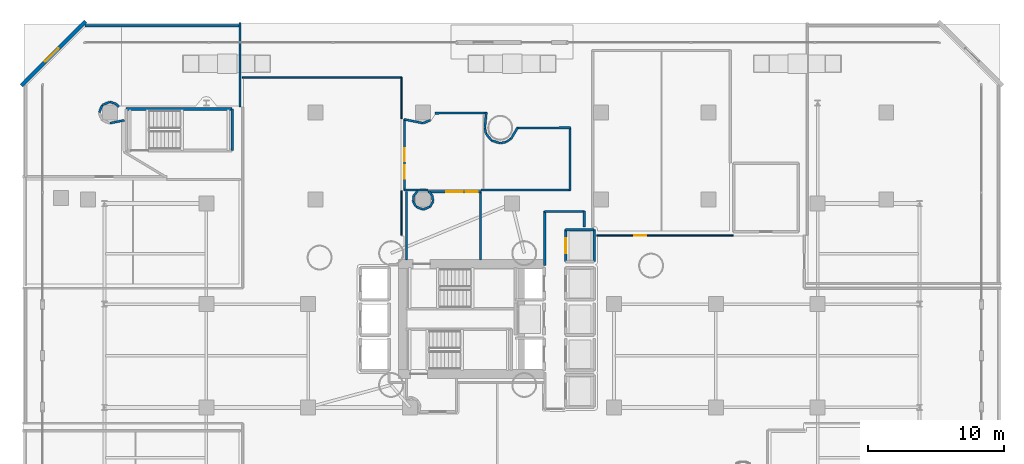
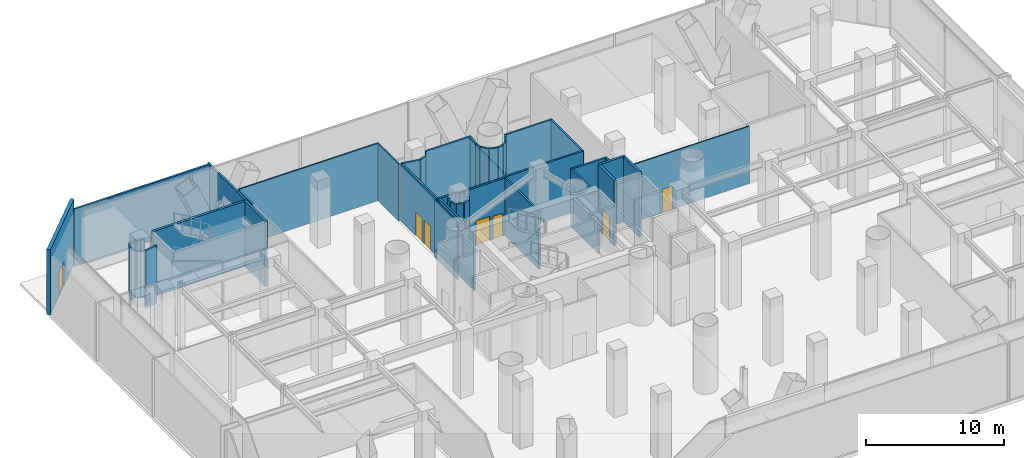
# One storey, part 30 of 40: 46 walls, 7 doors, 7 openings.
"""IFC4 building model written with IfcOpenShell, lengths in metres."""

from ifc_helpers import new_model, si_unit, direction, frame, frame_2d, origin, place, context, subcontext, project, spatial, rectangle, extrude, material, layer, layer_set, type_object, element, fill, save


model = new_model("IFC4")

# Units and contexts
model_context = context("Model", 3, precision=1e-05, world=origin(), true_north=direction((0.0, 1.0)))
body_context = subcontext(model_context, "Body", "Model", "MODEL_VIEW")
ifc_project = project(units=[si_unit("LENGTHUNIT", "METRE"), si_unit("AREAUNIT", "SQUARE_METRE"), si_unit("VOLUMEUNIT", "CUBIC_METRE"), si_unit("PLANEANGLEUNIT", "RADIAN"), si_unit("MASSUNIT", "GRAM", prefix="KILO")], contexts=[model_context])

# Site, building, storey
site_placement = place(None, origin())
site = spatial("IfcSite", under=ifc_project, at=site_placement, CompositionType="ELEMENT")
building_placement = place(site_placement, origin())
building = spatial("IfcBuilding", under=site, at=building_placement, Name="Qianvela Tower", CompositionType="ELEMENT")
storey_placement = place(building_placement, origin())
storey = spatial("IfcBuildingStorey", under=building, at=storey_placement, Name="L00", CompositionType="ELEMENT", Elevation=0.0)

# Wall, opening, door
ifc_material_1 = material(Name="Terracotta Cladding on Concrete C40", Category="masonry")
ifc_layer_1 = layer(ifc_material_1, 0.280029296875)
ifc_layer_set_1 = layer_set([ifc_layer_1], Name="Terracotta Cladding on Concrete C40")
wall_type_1 = type_object("IfcWallType", Name="TERRACOTTA-WALL-280", PredefinedType="SOLIDWALL", material=ifc_layer_set_1)
wall_1_placement = place(storey_placement, frame((1.386962890625, 45.886962890625, 0.0), z_axis=(0.0, 0.0, 1.0), x_axis=(0.707106781187, 0.707106781187, 0.0)))
wall_1 = element("IfcWall", 1, at=wall_1_placement, inside=storey, type_object=wall_type_1, Name="L00 Terracotta Corner Wall 6", PredefinedType="SOLIDWALL", context=body_context, shape_type="SweptSolid", body=[
    extrude(rectangle(XDim=6.68359375, YDim=0.280029296875, at=frame_2d((3.341796875, 0.0))), origin(), (0.0, 0.0, 1.0), 5.780029296875),
])
opening_1_placement = place(wall_1_placement, frame((2.48193359375, 0.0, 0.0)))
opening_1 = element("IfcOpeningElement", 2, at=opening_1_placement, cuts=wall_1, Name="Opening ED-03", PredefinedType="OPENING", context=body_context, shape_type="SweptSolid", body=[
    extrude(rectangle(XDim=1.39990234375, YDim=2.199951171875, at=frame_2d((0.699951171875, 1.10009765625))), frame((0.0, 0.14990234375, 0.0), z_axis=(0.0, -1.0, 0.0), x_axis=(1.0, 0.0, 0.0)), (0.0, 0.0, 1.0), 0.300048828125),
])
ifc_material_2 = material(Name="Galvanised Insulated Steel Q355B", Category="steel")
door_type_1 = type_object("IfcDoorType", Name="DT-EXT-EXIT-1400", OperationType="NOTDEFINED", PredefinedType="DOOR", material=ifc_material_2)
door_1_placement = place(opening_1_placement, origin())
door_1 = element("IfcDoor", 3, at=door_1_placement, inside=storey, type_object=door_type_1, Name="L00 Street Exit Door 6", OperationType="DOUBLE_DOOR_SINGLE_SWING", OverallHeight=2.199951171875, OverallWidth=1.39990234375, PredefinedType="DOOR", context=body_context, shape_type="SweptSolid", body=[
    extrude(rectangle(XDim=1.39990234375, YDim=2.199951171875, at=frame_2d((0.699951171875, 1.10009765625))), frame((0.0, 0.02490234375, 0.0), z_axis=(0.0, -1.0, 0.0), x_axis=(1.0, 0.0, 0.0)), (0.0, 0.0, 1.0), 0.050048828125),
])
fill(opening_1, door_1)

# Walls
ifc_material_3 = material(Name="Fire-Rated Gypsum and Concrete Block", Category="concrete")
ifc_layer_2 = layer(ifc_material_3, 0.159912109375)
ifc_layer_set_2 = layer_set([ifc_layer_2], Name="Fire-Rated Gypsum and Concrete Block")
wall_type_2 = type_object("IfcWallType", Name="WT-CORR-160", PredefinedType="PARTITIONING", material=ifc_layer_set_2)
wall_2_placement = place(storey_placement, frame((29.73095703125, 33.05810546875, 0.0), z_axis=(0.0, 0.0, 1.0), x_axis=(0.0, 1.0, 0.0)))
element("IfcWall", 4, at=wall_2_placement, inside=storey, type_object=wall_type_2, Name="L00 Partition 1", PredefinedType="PARTITIONING", context=body_context, shape_type="SweptSolid", body=[
    extrude(rectangle(XDim=5.0419921875, YDim=0.159912109375, at=frame_2d((2.52099609375, 0.0))), origin(), (0.0, 0.0, 1.0), 5.10009765625),
])
wall_3_placement = place(storey_placement, frame((30.555419921875, 38.1201171875, 0.0), z_axis=(0.0, 0.0, 1.0), x_axis=(-0.648223407971, -0.761450204123, 0.0)))
element("IfcWall", 5, at=wall_3_placement, inside=storey, type_object=wall_type_2, Name="L00 Partition 3", PredefinedType="PARTITIONING", context=body_context, shape_type="SweptSolid", body=[
    extrude(rectangle(XDim=0.43115234375, YDim=0.159912109375, at=frame_2d((0.215576171875, 0.0))), origin(), (0.0, 0.0, 1.0), 5.10009765625),
])
for number, where, z_axis, x_axis, name in (
    (6, (30.2685546875, 37.774658203125, 0.0), (0.0, 0.0, 1.0), (-0.097743995568, -0.995211591236, 0.0), "L00 Partition 4"),
    (7, (30.231689453125, 37.346923828125, 0.0), (0.0, 0.0, 1.0), (0.47144875314, -0.881893459077, 0.0), "L00 Partition 5"),
):
    element("IfcWall", number, at=place(storey_placement, frame(where, z_axis=z_axis, x_axis=x_axis)), inside=storey, type_object=wall_type_2, Name=name, PredefinedType="PARTITIONING", context=body_context, shape_type="SweptSolid", body=[
        extrude(rectangle(XDim=0.412109375, YDim=0.159912109375, at=frame_2d((0.2060546875, 0.0))), origin(), (0.0, 0.0, 1.0), 5.10009765625),
    ])
wall_4_placement = place(storey_placement, frame((30.44140625, 36.96923828125, 0.0), z_axis=(0.0, 0.0, 1.0), x_axis=(0.924044193671, -0.382285663011, 0.0)))
element("IfcWall", 8, at=wall_4_placement, inside=storey, type_object=wall_type_2, Name="L00 Partition 6", PredefinedType="PARTITIONING", context=body_context, shape_type="SweptSolid", body=[
    extrude(rectangle(XDim=0.54345703125, YDim=0.159912109375, at=frame_2d((0.271728515625, 0.0))), origin(), (0.0, 0.0, 1.0), 5.10009765625),
])
wall_5_placement = place(storey_placement, frame((30.96728515625, 36.761474609375, 0.0), z_axis=(0.0, 0.0, 1.0), x_axis=(0.923978502811, 0.382444409481, 0.0)))
element("IfcWall", 9, at=wall_5_placement, inside=storey, type_object=wall_type_2, Name="L00 Partition 7", PredefinedType="PARTITIONING", context=body_context, shape_type="SweptSolid", body=[
    extrude(rectangle(XDim=0.543212890625, YDim=0.159912109375, at=frame_2d((0.271484375, 0.0))), origin(), (0.0, 0.0, 1.0), 5.10009765625),
])
for number, where, z_axis, x_axis, name in (
    (10, (31.48486328125, 36.9833984375, 0.0), (0.0, 0.0, 1.0), (0.47144875314, 0.881893459077, 0.0), "L00 Partition 8"),
    (11, (31.6826171875, 37.364501953125, 0.0), (0.0, 0.0, 1.0), (-0.098330672755, 0.995153796554, 0.0), "L00 Partition 9"),
):
    element("IfcWall", number, at=place(storey_placement, frame(where, z_axis=z_axis, x_axis=x_axis)), inside=storey, type_object=wall_type_2, Name=name, PredefinedType="PARTITIONING", context=body_context, shape_type="SweptSolid", body=[
        extrude(rectangle(XDim=0.412109375, YDim=0.159912109375, at=frame_2d((0.2060546875, 0.0))), origin(), (0.0, 0.0, 1.0), 5.10009765625),
    ])
wall_6_placement = place(storey_placement, frame((31.635009765625, 37.791748046875, 0.0), z_axis=(0.0, 0.0, 1.0), x_axis=(-0.648223407971, 0.761450204123, 0.0)))
element("IfcWall", 12, at=wall_6_placement, inside=storey, type_object=wall_type_2, Name="L00 Partition 10", PredefinedType="PARTITIONING", context=body_context, shape_type="SweptSolid", body=[
    extrude(rectangle(XDim=0.43115234375, YDim=0.159912109375, at=frame_2d((0.215576171875, 0.0))), origin(), (0.0, 0.0, 1.0), 5.10009765625),
])

# Wall, openings, doors
wall_7_placement = place(storey_placement, frame((31.331787109375, 38.069091796875, 0.0), z_axis=(0.0, 0.0, 1.0), x_axis=(1.0, 0.0, 0.0)))
wall_7 = element("IfcWall", 13, at=wall_7_placement, inside=storey, type_object=wall_type_2, Name="L00 Partition 11", PredefinedType="PARTITIONING", context=body_context, shape_type="SweptSolid", body=[
    extrude(rectangle(XDim=3.88818359375, YDim=0.159912109375, at=frame_2d((1.944091796875, 0.0))), origin(), (0.0, 0.0, 1.0), 5.10009765625),
])
opening_2_placement = place(wall_7_placement, frame((1.343994140625, 0.0, 0.0)))
opening_2 = element("IfcOpeningElement", 14, at=opening_2_placement, cuts=wall_7, Name="Opening D-LB1", PredefinedType="OPENING", context=body_context, shape_type="SweptSolid", body=[
    extrude(rectangle(XDim=1.199951171875, YDim=2.14990234375, at=frame_2d((0.60009765625, 1.074951171875))), frame((0.0, 0.08984375, 0.0), z_axis=(0.0, -1.0, 0.0), x_axis=(1.0, 0.0, 0.0)), (0.0, 0.0, 1.0), 0.179931640625),
])
opening_3_placement = place(wall_7_placement, frame((2.774169921875, 0.0, 0.0)))
opening_3 = element("IfcOpeningElement", 15, at=opening_3_placement, cuts=wall_7, Name="Opening D-LB2", PredefinedType="OPENING", context=body_context, shape_type="SweptSolid", body=[
    extrude(rectangle(XDim=0.860107421875, YDim=2.050048828125, at=frame_2d((0.43017578125, 1.02490234375))), frame((0.0, 0.08984375, 0.0), z_axis=(0.0, -1.0, 0.0), x_axis=(1.0, 0.0, 0.0)), (0.0, 0.0, 1.0), 0.179931640625),
])
ifc_material_4 = material(Name="Glazed Fire-Rated Steel Frame", Category="steel")
door_type_2 = type_object("IfcDoorType", Name="DT-LOBBY-FD90", OperationType="NOTDEFINED", PredefinedType="DOOR", material=ifc_material_4)
door_2_placement = place(opening_2_placement, origin())
door_2 = element("IfcDoor", 16, at=door_2_placement, inside=storey, type_object=door_type_2, Name="L00 Door L00 Firefighting Lobby North to L00 Protected Exit Passageway North", OperationType="SINGLE_SWING_RIGHT", OverallHeight=2.14990234375, OverallWidth=1.199951171875, PredefinedType="DOOR", context=body_context, shape_type="SweptSolid", body=[
    extrude(rectangle(XDim=1.199951171875, YDim=2.14990234375, at=frame_2d((0.60009765625, 1.074951171875))), frame((0.0, 0.02490234375, 0.0), z_axis=(0.0, -1.0, 0.0), x_axis=(1.0, 0.0, 0.0)), (0.0, 0.0, 1.0), 0.050048828125),
])
fill(opening_2, door_2)
ifc_material_5 = material(Name="Insulated Steel Fire Door Q355B", Category="steel")
door_type_3 = type_object("IfcDoorType", Name="DT-LOBBY-FD90-860", OperationType="NOTDEFINED", PredefinedType="DOOR", material=ifc_material_5)
door_3_placement = place(opening_3_placement, origin())
door_3 = element("IfcDoor", 17, at=door_3_placement, inside=storey, type_object=door_type_3, Name="L00 Door L00 Firefighting Lobby North to L00 Protected Exit Passageway North", OperationType="SINGLE_SWING_LEFT", OverallHeight=2.050048828125, OverallWidth=0.860107421875, PredefinedType="DOOR", context=body_context, shape_type="SweptSolid", body=[
    extrude(rectangle(XDim=0.860107421875, YDim=2.050048828125, at=frame_2d((0.43017578125, 1.02490234375))), frame((0.0, 0.02490234375, 0.0), z_axis=(0.0, -1.0, 0.0), x_axis=(1.0, 0.0, 0.0)), (0.0, 0.0, 1.0), 0.050048828125),
])
fill(opening_3, door_3)

# Walls
wall_8_placement = place(storey_placement, frame((35.18896484375, 38.10009765625, 0.0), z_axis=(0.0, 0.0, 1.0), x_axis=(0.0, -1.0, 0.0)))
element("IfcWall", 18, at=wall_8_placement, inside=storey, type_object=wall_type_2, Name="L00 Partition 12", PredefinedType="PARTITIONING", context=body_context, shape_type="SweptSolid", body=[
    extrude(rectangle(XDim=5.0419921875, YDim=0.159912109375, at=frame_2d((2.52099609375, 0.0))), origin(), (0.0, 0.0, 1.0), 5.10009765625),
])
wall_9_placement = place(storey_placement, frame((39.910888671875, 32.639892578125, 0.0), z_axis=(0.0, 0.0, 1.0), x_axis=(0.0, 1.0, 0.0)))
element("IfcWall", 19, at=wall_9_placement, inside=storey, type_object=wall_type_2, Name="L00 Partition 23", PredefinedType="PARTITIONING", context=body_context, shape_type="SweptSolid", body=[
    extrude(rectangle(XDim=4.010009765625, YDim=0.159912109375, at=frame_2d((2.0048828125, 0.0))), origin(), (0.0, 0.0, 1.0), 5.10009765625),
])
wall_10_placement = place(storey_placement, frame((39.8798828125, 36.618896484375, 0.0), z_axis=(0.0, 0.0, 1.0), x_axis=(1.0, 0.0, 0.0)))
element("IfcWall", 20, at=wall_10_placement, inside=storey, type_object=wall_type_2, Name="L00 Partition 24", PredefinedType="PARTITIONING", context=body_context, shape_type="SweptSolid", body=[
    extrude(rectangle(XDim=2.97021484375, YDim=0.159912109375, at=frame_2d((1.485107421875, 0.0))), origin(), (0.0, 0.0, 1.0), 5.10009765625),
])
wall_11_placement = place(storey_placement, frame((42.819091796875, 36.64990234375, 0.0), z_axis=(0.0, 0.0, 1.0), x_axis=(0.0, -1.0, 0.0)))
element("IfcWall", 21, at=wall_11_placement, inside=storey, type_object=wall_type_2, Name="L00 Partition 25", PredefinedType="PARTITIONING", context=body_context, shape_type="SweptSolid", body=[
    extrude(rectangle(XDim=1.169921875, YDim=0.159912109375, at=frame_2d((0.5849609375, 0.0))), origin(), (0.0, 0.0, 1.0), 5.10009765625),
])
wall_12_placement = place(storey_placement, frame((7.906005859375, 43.11962890625, 0.0), z_axis=(0.0, 0.0, 1.0), x_axis=(0.980814552351, 0.194943104256, 0.0)))
element("IfcWall", 22, at=wall_12_placement, inside=storey, type_object=wall_type_2, Name="L00 Partition 30", PredefinedType="PARTITIONING", context=body_context, shape_type="SweptSolid", body=[
    extrude(rectangle(XDim=1.080810546875, YDim=0.159912109375, at=frame_2d((0.54052734375, 0.0))), origin(), (0.0, 0.0, 1.0), 5.10009765625),
])
wall_13_placement = place(storey_placement, frame((6.07470703125, 50.2890625, 0.0), z_axis=(0.0, 0.0, 1.0), x_axis=(1.0, 0.0, 0.0)))
element("IfcWall", 23, at=wall_13_placement, inside=storey, type_object=wall_type_2, Name="L00 Partition 36", PredefinedType="PARTITIONING", context=body_context, shape_type="SweptSolid", body=[
    extrude(rectangle(XDim=11.42529296875, YDim=0.159912109375, at=frame_2d((5.712646484375, 0.0))), origin(), (0.0, 0.0, 1.0), 5.10009765625),
])
wall_14_placement = place(storey_placement, frame((17.468994140625, 50.52001953125, 0.0), z_axis=(0.0, 0.0, 1.0), x_axis=(0.0, -1.0, 0.0)))
element("IfcWall", 24, at=wall_14_placement, inside=storey, type_object=wall_type_2, Name="L00 Partition 37", PredefinedType="PARTITIONING", context=body_context, shape_type="SweptSolid", body=[
    extrude(rectangle(XDim=6.222900390625, YDim=0.159912109375, at=frame_2d((3.111328125, 0.0))), origin(), (0.0, 0.0, 1.0), 5.10009765625),
])
wall_15_placement = place(storey_placement, frame((8.56201171875, 44.322021484375, 0.0), z_axis=(0.0, 0.0, 1.0), x_axis=(-0.707106781187, 0.707106781187, 0.0)))
element("IfcWall", 25, at=wall_15_placement, inside=storey, type_object=wall_type_2, Name="L00 Partition 42", PredefinedType="PARTITIONING", context=body_context, shape_type="SweptSolid", body=[
    extrude(rectangle(XDim=0.31591796875, YDim=0.159912109375, at=frame_2d((0.157958984375, 0.0))), origin(), (0.0, 0.0, 1.0), 5.10009765625),
])
wall_16_placement = place(storey_placement, frame((8.32568359375, 44.55322265625, 0.0), z_axis=(0.0, 0.0, 1.0), x_axis=(-0.956911178217, 0.29038077933, 0.0)))
element("IfcWall", 26, at=wall_16_placement, inside=storey, type_object=wall_type_2, Name="L00 Partition 43", PredefinedType="PARTITIONING", context=body_context, shape_type="SweptSolid", body=[
    extrude(rectangle(XDim=0.435546875, YDim=0.159912109375, at=frame_2d((0.2177734375, 0.0))), origin(), (0.0, 0.0, 1.0), 5.10009765625),
])
for number, where, z_axis, x_axis, name in (
    (27, (7.88818359375, 44.6787109375, 0.0), (0.0, 0.0, 1.0), (-0.92383017907, -0.382802560388, 0.0), "L00 Partition 44"),
    (28, (7.341064453125, 44.442138671875, 0.0), (0.0, 0.0, 1.0), (-0.382802560388, -0.92383017907, 0.0), "L00 Partition 45"),
):
    element("IfcWall", number, at=place(storey_placement, frame(where, z_axis=z_axis, x_axis=x_axis)), inside=storey, type_object=wall_type_2, Name=name, PredefinedType="PARTITIONING", context=body_context, shape_type="SweptSolid", body=[
        extrude(rectangle(XDim=0.573974609375, YDim=0.159912109375, at=frame_2d((0.287109375, 0.0))), origin(), (0.0, 0.0, 1.0), 5.10009765625),
    ])
wall_17_placement = place(storey_placement, frame((29.5439453125, 43.399169921875, 0.0), z_axis=(0.0, 0.0, 1.0), x_axis=(0.980789794915, -0.195067624662, 0.0)))
element("IfcWall", 29, at=wall_17_placement, inside=storey, type_object=wall_type_2, Name="L00 Partition 48", PredefinedType="PARTITIONING", context=body_context, shape_type="SweptSolid", body=[
    extrude(rectangle(XDim=1.43310546875, YDim=0.159912109375, at=frame_2d((0.716552734375, 0.0))), origin(), (0.0, 0.0, 1.0), 5.10009765625),
])
wall_18_placement = place(storey_placement, frame((30.96728515625, 43.121337890625, 0.0), z_axis=(0.0, 0.0, 1.0), x_axis=(0.92383017907, 0.382802560388, 0.0)))
element("IfcWall", 30, at=wall_18_placement, inside=storey, type_object=wall_type_2, Name="L00 Partition 49", PredefinedType="PARTITIONING", context=body_context, shape_type="SweptSolid", body=[
    extrude(rectangle(XDim=0.573974609375, YDim=0.159912109375, at=frame_2d((0.287109375, 0.0))), origin(), (0.0, 0.0, 1.0), 5.10009765625),
])
wall_19_placement = place(storey_placement, frame((31.830322265625, 43.854248046875, 0.0), z_axis=(0.0, 0.0, 1.0), x_axis=(0.999996718177, 0.002561959183, 0.0)))
element("IfcWall", 31, at=wall_19_placement, inside=storey, type_object=wall_type_2, Name="L00 Partition 50", PredefinedType="PARTITIONING", context=body_context, shape_type="SweptSolid", body=[
    extrude(rectangle(XDim=3.811767578125, YDim=0.159912109375, at=frame_2d((1.90576171875, 0.0))), origin(), (0.0, 0.0, 1.0), 5.10009765625),
])
wall_20_placement = place(storey_placement, frame((35.611083984375, 43.89794921875, 0.0), z_axis=(0.0, 0.0, 1.0), x_axis=(-0.097888269922, -0.995197410875, 0.0)))
element("IfcWall", 32, at=wall_20_placement, inside=storey, type_object=wall_type_2, Name="L00 Partition 51", PredefinedType="PARTITIONING", context=body_context, shape_type="SweptSolid", body=[
    extrude(rectangle(XDim=1.122314453125, YDim=0.159912109375, at=frame_2d((0.56103515625, 0.0))), origin(), (0.0, 0.0, 1.0), 5.10009765625),
])
wall_21_placement = place(storey_placement, frame((35.501708984375, 42.77197265625, 0.0), z_axis=(0.0, 0.0, 1.0), x_axis=(0.194584082332, -0.980885841932, 0.0)))
element("IfcWall", 33, at=wall_21_placement, inside=storey, type_object=wall_type_2, Name="L00 Partition 52", PredefinedType="PARTITIONING", context=body_context, shape_type="SweptSolid", body=[
    extrude(rectangle(XDim=0.42919921875, YDim=0.159912109375, at=frame_2d((0.214599609375, 0.0))), origin(), (0.0, 0.0, 1.0), 5.10009765625),
])
wall_22_placement = place(storey_placement, frame((35.591796875, 42.33740234375, 0.0), z_axis=(0.0, 0.0, 1.0), x_axis=(0.634299034474, -0.773087792469, 0.0)))
element("IfcWall", 34, at=wall_22_placement, inside=storey, type_object=wall_type_2, Name="L00 Partition 53", PredefinedType="PARTITIONING", context=body_context, shape_type="SweptSolid", body=[
    extrude(rectangle(XDim=0.638427734375, YDim=0.159912109375, at=frame_2d((0.3193359375, 0.0))), origin(), (0.0, 0.0, 1.0), 5.10009765625),
])
wall_23_placement = place(storey_placement, frame((36.011962890625, 41.833740234375, 0.0), z_axis=(0.0, 0.0, 1.0), x_axis=(0.956863497658, -0.290537857859, 0.0)))
element("IfcWall", 35, at=wall_23_placement, inside=storey, type_object=wall_type_2, Name="L00 Partition 54", PredefinedType="PARTITIONING", context=body_context, shape_type="SweptSolid", body=[
    extrude(rectangle(XDim=0.638671875, YDim=0.159912109375, at=frame_2d((0.3193359375, 0.0))), origin(), (0.0, 0.0, 1.0), 5.10009765625),
])
wall_24_placement = place(storey_placement, frame((36.637939453125, 41.647705078125, 0.0), z_axis=(0.0, 0.0, 1.0), x_axis=(0.980907366398, 0.194475547425, 0.0)))
element("IfcWall", 36, at=wall_24_placement, inside=storey, type_object=wall_type_2, Name="L00 Partition 55", PredefinedType="PARTITIONING", context=body_context, shape_type="SweptSolid", body=[
    extrude(rectangle(XDim=0.429443359375, YDim=0.159912109375, at=frame_2d((0.21484375, 0.0))), origin(), (0.0, 0.0, 1.0), 5.10009765625),
])
wall_25_placement = place(storey_placement, frame((37.0703125, 41.736083984375, 0.0), z_axis=(0.0, 0.0, 1.0), x_axis=(0.83152455419, 0.555487997871, 0.0)))
element("IfcWall", 37, at=wall_25_placement, inside=storey, type_object=wall_type_2, Name="L00 Partition 56", PredefinedType="PARTITIONING", context=body_context, shape_type="SweptSolid", body=[
    extrude(rectangle(XDim=0.428955078125, YDim=0.159912109375, at=frame_2d((0.21435546875, 0.0))), origin(), (0.0, 0.0, 1.0), 5.10009765625),
])
wall_26_placement = place(storey_placement, frame((37.4365234375, 41.984375, 0.0), z_axis=(0.0, 0.0, 1.0), x_axis=(0.510818143379, 0.859688795085, 0.0)))
element("IfcWall", 38, at=wall_26_placement, inside=storey, type_object=wall_type_2, Name="L00 Partition 57", PredefinedType="PARTITIONING", context=body_context, shape_type="SweptSolid", body=[
    extrude(rectangle(XDim=0.9287109375, YDim=0.159912109375, at=frame_2d((0.46435546875, 0.0))), origin(), (0.0, 0.0, 1.0), 5.10009765625),
])
wall_27_placement = place(storey_placement, frame((37.88427734375, 42.767333984375, 0.0), z_axis=(0.0, 0.0, 1.0), x_axis=(0.999996890193, 0.002493913312, 0.0)))
element("IfcWall", 39, at=wall_27_placement, inside=storey, type_object=wall_type_2, Name="L00 Partition 58", PredefinedType="PARTITIONING", context=body_context, shape_type="SweptSolid", body=[
    extrude(rectangle(XDim=3.915771484375, YDim=0.159912109375, at=frame_2d((1.9580078125, 0.0))), origin(), (0.0, 0.0, 1.0), 5.10009765625),
])
wall_28_placement = place(storey_placement, frame((41.76904296875, 42.80810546875, 0.0), z_axis=(0.0, 0.0, 1.0), x_axis=(0.0, -1.0, 0.0)))
element("IfcWall", 40, at=wall_28_placement, inside=storey, type_object=wall_type_2, Name="L00 Partition 59", PredefinedType="PARTITIONING", context=body_context, shape_type="SweptSolid", body=[
    extrude(rectangle(XDim=4.648193359375, YDim=0.159912109375, at=frame_2d((2.32421875, 0.0))), origin(), (0.0, 0.0, 1.0), 5.10009765625),
])
wall_29_placement = place(storey_placement, frame((41.800048828125, 38.19091796875, 0.0), z_axis=(0.0, 0.0, 1.0), x_axis=(-1.0, 0.0, 0.0)))
element("IfcWall", 41, at=wall_29_placement, inside=storey, type_object=wall_type_2, Name="L00 Partition 60 seg 1", PredefinedType="PARTITIONING", context=body_context, shape_type="SweptSolid", body=[
    extrude(rectangle(XDim=6.580078125, YDim=0.159912109375, at=frame_2d((3.2900390625, 0.0))), origin(), (0.0, 0.0, 1.0), 5.10009765625),
])
wall_30_placement = place(storey_placement, frame((31.331787109375, 38.19091796875, 0.0), z_axis=(0.0, 0.0, 1.0), x_axis=(-1.0, 0.0, 0.0)))
element("IfcWall", 42, at=wall_30_placement, inside=storey, type_object=wall_type_2, Name="L00 Partition 60 seg 2", PredefinedType="PARTITIONING", context=body_context, shape_type="SweptSolid", body=[
    extrude(rectangle(XDim=1.78173828125, YDim=0.159912109375, at=frame_2d((0.890869140625, 0.0))), origin(), (0.0, 0.0, 1.0), 5.10009765625),
])

# Wall, openings, doors
wall_31_placement = place(storey_placement, frame((29.5810546875, 38.159912109375, 0.0), z_axis=(0.0, 0.0, 1.0), x_axis=(0.0, 1.0, 0.0)))
wall_31 = element("IfcWall", 43, at=wall_31_placement, inside=storey, type_object=wall_type_2, Name="L00 Partition 61 seg 1", PredefinedType="PARTITIONING", context=body_context, shape_type="SweptSolid", body=[
    extrude(rectangle(XDim=5.269775390625, YDim=0.159912109375, at=frame_2d((2.634765625, 0.0))), origin(), (0.0, 0.0, 1.0), 5.10009765625),
])
opening_4_placement = place(wall_31_placement, frame((2.144775390625, 0.0, 0.0)))
opening_4 = element("IfcOpeningElement", 44, at=opening_4_placement, cuts=wall_31, Name="Opening D-RM1", PredefinedType="OPENING", context=body_context, shape_type="SweptSolid", body=[
    extrude(rectangle(XDim=0.97998046875, YDim=2.10009765625, at=frame_2d((0.489990234375, 1.050048828125))), frame((0.0, 0.08984375, 0.0), z_axis=(0.0, -1.0, 0.0), x_axis=(1.0, 0.0, 0.0)), (0.0, 0.0, 1.0), 0.179931640625),
])
opening_5_placement = place(wall_31_placement, frame((0.884765625, 0.0, 0.0)))
opening_5 = element("IfcOpeningElement", 45, at=opening_5_placement, cuts=wall_31, Name="Opening D-RM1", PredefinedType="OPENING", context=body_context, shape_type="SweptSolid", body=[
    extrude(rectangle(XDim=0.97998046875, YDim=2.10009765625, at=frame_2d((0.489990234375, 1.050048828125))), frame((0.0, 0.08984375, 0.0), z_axis=(0.0, -1.0, 0.0), x_axis=(1.0, 0.0, 0.0)), (0.0, 0.0, 1.0), 0.179931640625),
])
ifc_material_6 = material(Name="Solid Core Acoustic Timber Fire Door", Category="wood")
door_type_4 = type_object("IfcDoorType", Name="DT-ROOM-FD60", OperationType="NOTDEFINED", PredefinedType="DOOR", material=ifc_material_6)
door_4_placement = place(opening_4_placement, origin())
door_4 = element("IfcDoor", 46, at=door_4_placement, inside=storey, type_object=door_type_4, Name="L00 Door L00 Protected Exit Passageway North to Street Concourse", OperationType="SINGLE_SWING_RIGHT", OverallHeight=2.10009765625, OverallWidth=0.97998046875, PredefinedType="DOOR", context=body_context, shape_type="SweptSolid", body=[
    extrude(rectangle(XDim=0.97998046875, YDim=2.10009765625, at=frame_2d((0.489990234375, 1.050048828125))), frame((0.0, 0.02490234375, 0.0), z_axis=(0.0, -1.0, 0.0), x_axis=(1.0, 0.0, 0.0)), (0.0, 0.0, 1.0), 0.050048828125),
])
fill(opening_4, door_4)
door_5_placement = place(opening_5_placement, origin())
door_5 = element("IfcDoor", 47, at=door_5_placement, inside=storey, type_object=door_type_4, Name="L00 Door L00 Protected Exit Passageway North to Street Concourse", OperationType="SINGLE_SWING_LEFT", OverallHeight=2.10009765625, OverallWidth=0.97998046875, PredefinedType="DOOR", context=body_context, shape_type="SweptSolid", body=[
    extrude(rectangle(XDim=0.97998046875, YDim=2.10009765625, at=frame_2d((0.489990234375, 1.050048828125))), frame((0.0, 0.02490234375, 0.0), z_axis=(0.0, -1.0, 0.0), x_axis=(1.0, 0.0, 0.0)), (0.0, 0.0, 1.0), 0.050048828125),
])
fill(opening_5, door_5)

# Walls
ifc_material_7 = material(Name="Lightweight Gypsum Room Partition")
ifc_layer_3 = layer(ifc_material_7, 0.10498046875)
ifc_layer_set_3 = layer_set([ifc_layer_3], Name="Lightweight Gypsum Room Partition")
wall_type_3 = type_object("IfcWallType", Name="WT-PART-105", PredefinedType="PARTITIONING", material=ifc_layer_set_3)
wall_32_placement = place(storey_placement, frame((29.368896484375, 46.5, 0.0), z_axis=(0.0, 0.0, 1.0), x_axis=(0.0, -1.0, 0.0)))
element("IfcWall", 48, at=wall_32_placement, inside=storey, type_object=wall_type_3, Name="L00 Partition 70 seg 1", PredefinedType="PARTITIONING", context=body_context, shape_type="SweptSolid", body=[
    extrude(rectangle(XDim=3.0703125, YDim=0.10498046875, at=frame_2d((1.53515625, 0.0))), origin(), (0.0, 0.0, 1.0), 5.10009765625),
])
wall_33_placement = place(storey_placement, frame((29.368896484375, 38.159912109375, 0.0), z_axis=(0.0, 0.0, 1.0), x_axis=(0.0, -1.0, 0.0)))
element("IfcWall", 49, at=wall_33_placement, inside=storey, type_object=wall_type_3, Name="L00 Partition 70 seg 2", PredefinedType="PARTITIONING", context=body_context, shape_type="SweptSolid", body=[
    extrude(rectangle(XDim=3.280029296875, YDim=0.10498046875, at=frame_2d((1.64013671875, 0.0))), origin(), (0.0, 0.0, 1.0), 5.10009765625),
])

# Wall, opening, door
wall_34_placement = place(storey_placement, frame((43.719970703125, 34.84912109375, 0.0), z_axis=(0.0, 0.0, 1.0), x_axis=(1.0, 0.0, 0.0)))
wall_34 = element("IfcWall", 50, at=wall_34_placement, inside=storey, type_object=wall_type_3, Name="L00 Partition 94 seg 1", PredefinedType="PARTITIONING", context=body_context, shape_type="SweptSolid", body=[
    extrude(rectangle(XDim=10.080078125, YDim=0.10498046875, at=frame_2d((5.0400390625, 0.0))), origin(), (0.0, 0.0, 1.0), 5.10009765625),
])
opening_6_placement = place(wall_34_placement, frame((2.7900390625, 0.0, 0.0)))
opening_6 = element("IfcOpeningElement", 51, at=opening_6_placement, cuts=wall_34, Name="Opening D-WC1", PredefinedType="OPENING", context=body_context, shape_type="SweptSolid", body=[
    extrude(rectangle(XDim=0.860107421875, YDim=2.050048828125, at=frame_2d((0.43017578125, 1.02490234375))), frame((0.0, 0.0625, 0.0), z_axis=(0.0, -1.0, 0.0), x_axis=(1.0, 0.0, 0.0)), (0.0, 0.0, 1.0), 0.125),
])
ifc_material_8 = material(Name="Moisture-Sealed Acoustic Timber Door", Category="wood")
door_type_5 = type_object("IfcDoorType", Name="DT-WC-860", OperationType="NOTDEFINED", PredefinedType="DOOR", material=ifc_material_8)
door_6_placement = place(opening_6_placement, origin())
door_6 = element("IfcDoor", 52, at=door_6_placement, inside=storey, type_object=door_type_5, Name="L00 Door Concourse Public Washrooms to Street Concourse", OperationType="SINGLE_SWING_LEFT", OverallHeight=2.050048828125, OverallWidth=0.860107421875, PredefinedType="DOOR", context=body_context, shape_type="SweptSolid", body=[
    extrude(rectangle(XDim=0.860107421875, YDim=2.050048828125, at=frame_2d((0.43017578125, 1.02490234375))), frame((0.0, 0.02490234375, 0.0), z_axis=(0.0, -1.0, 0.0), x_axis=(1.0, 0.0, 0.0)), (0.0, 0.0, 1.0), 0.050048828125),
])
fill(opening_6, door_6)

# Walls
ifc_material_9 = material(Name="Insulated Gypsum Stud Partition")
ifc_layer_4 = layer(ifc_material_9, 0.1201171875)
ifc_layer_set_4 = layer_set([ifc_layer_4], Name="Insulated Gypsum Stud Partition")
wall_type_4 = type_object("IfcWallType", Name="WT-PART-120", PredefinedType="PARTITIONING", material=ifc_layer_set_4)
wall_35_placement = place(storey_placement, frame((17.64990234375, 46.468994140625, 0.0), z_axis=(0.0, 0.0, 1.0), x_axis=(1.0, 0.0, 0.0)))
element("IfcWall", 53, at=wall_35_placement, inside=storey, type_object=wall_type_4, Name="L00 Partition 69", PredefinedType="PARTITIONING", context=body_context, shape_type="SweptSolid", body=[
    extrude(rectangle(XDim=11.75, YDim=0.1201171875, at=frame_2d((5.875, 0.0))), origin(), (0.0, 0.0, 1.0), 5.10009765625),
])
ifc_material_10 = material(Name="Concrete C50", Category="concrete")
ifc_layer_5 = layer(ifc_material_10, 0.199951171875)
ifc_layer_set_5 = layer_set([ifc_layer_5], Name="Concrete C50")
wall_type_5 = type_object("IfcWallType", Name="WT-SHAFT-200", PredefinedType="SOLIDWALL", material=ifc_layer_set_5)
wall_36_placement = place(storey_placement, frame((9.10009765625, 44.159912109375, 0.0), z_axis=(0.0, 0.0, 1.0), x_axis=(1.0, 0.0, 0.0)))
element("IfcWall", 54, at=wall_36_placement, inside=storey, type_object=wall_type_5, Name="L00 Stair ST-3 North Wall", PredefinedType="SOLIDWALL", context=body_context, shape_type="SweptSolid", body=[
    extrude(rectangle(XDim=7.7998046875, YDim=0.199951171875, at=frame_2d((3.89990234375, 0.0))), origin(), (0.0, 0.0, 1.0), 5.780029296875),
])
wall_37_placement = place(storey_placement, frame((16.89990234375, 41.10009765625, 0.0), z_axis=(0.0, 0.0, 1.0), x_axis=(0.0, 1.0, 0.0)))
element("IfcWall", 55, at=wall_37_placement, inside=storey, type_object=wall_type_5, Name="L00 Stair ST-3 East Wall", PredefinedType="SOLIDWALL", context=body_context, shape_type="SweptSolid", body=[
    extrude(rectangle(XDim=3.059814453125, YDim=0.199951171875, at=frame_2d((1.52978515625, 0.0))), origin(), (0.0, 0.0, 1.0), 5.780029296875),
])
wall_38_placement = place(storey_placement, frame((43.550048828125, 32.919921875, 0.0), z_axis=(0.0, 0.0, 1.0), x_axis=(0.0, 1.0, 0.0)))
element("IfcWall", 56, at=wall_38_placement, inside=storey, type_object=wall_type_5, Name="L00 Lift PL-H3 E Shaft Wall", PredefinedType="SOLIDWALL", context=body_context, shape_type="SweptSolid", body=[
    extrude(rectangle(XDim=2.360107421875, YDim=0.199951171875, at=frame_2d((1.18017578125, 0.0))), origin(), (0.0, 0.0, 1.0), 5.780029296875),
])

# Wall, opening, door
wall_39_placement = place(storey_placement, frame((41.449951171875, 32.919921875, 0.0), z_axis=(0.0, 0.0, 1.0), x_axis=(0.0, 1.0, 0.0)))
wall_39 = element("IfcWall", 57, at=wall_39_placement, inside=storey, type_object=wall_type_5, Name="L00 Lift PL-H3 W Shaft Wall", PredefinedType="SOLIDWALL", context=body_context, shape_type="SweptSolid", body=[
    extrude(rectangle(XDim=2.360107421875, YDim=0.199951171875, at=frame_2d((1.18017578125, 0.0))), origin(), (0.0, 0.0, 1.0), 5.780029296875),
])
opening_7_placement = place(wall_39_placement, frame((0.6298828125, 0.0, 0.0)))
opening_7 = element("IfcOpeningElement", 58, at=opening_7_placement, cuts=wall_39, Name="Opening LD-01", PredefinedType="OPENING", context=body_context, shape_type="SweptSolid", body=[
    extrude(rectangle(XDim=1.10009765625, YDim=2.14990234375, at=frame_2d((0.550048828125, 1.074951171875))), frame((0.0, 0.10986328125, 0.0), z_axis=(0.0, -1.0, 0.0), x_axis=(1.0, 0.0, 0.0)), (0.0, 0.0, 1.0), 0.219970703125),
])
ifc_material_11 = material(Name="Brushed Stainless Steel Lift Landing Door", Category="steel")
door_type_6 = type_object("IfcDoorType", Name="DT-LIFT-SLIDE-1100", OperationType="SLIDING_TO_LEFT", PredefinedType="DOOR", material=ifc_material_11)
door_7_placement = place(opening_7_placement, origin())
door_7 = element("IfcDoor", 59, at=door_7_placement, inside=storey, type_object=door_type_6, Name="L00 Lift PL-H3 Sliding Landing Door", OperationType="SLIDING_TO_LEFT", OverallHeight=2.14990234375, OverallWidth=1.10009765625, PredefinedType="DOOR", context=body_context, shape_type="SweptSolid", body=[
    extrude(rectangle(XDim=1.10009765625, YDim=2.14990234375, at=frame_2d((0.550048828125, 1.074951171875))), frame((0.0, 0.02490234375, 0.0), z_axis=(0.0, -1.0, 0.0), x_axis=(1.0, 0.0, 0.0)), (0.0, 0.0, 1.0), 0.050048828125),
])
fill(opening_7, door_7)

# Wall
wall_40_placement = place(storey_placement, frame((41.449951171875, 35.280029296875, 0.0), z_axis=(0.0, 0.0, 1.0), x_axis=(1.0, 0.0, 0.0)))
element("IfcWall", 60, at=wall_40_placement, inside=storey, type_object=wall_type_5, Name="L00 Lift PL-H3 N Shaft Wall", PredefinedType="SOLIDWALL", context=body_context, shape_type="SweptSolid", body=[
    extrude(rectangle(XDim=2.10009765625, YDim=0.199951171875, at=frame_2d((1.050048828125, 0.0))), origin(), (0.0, 0.0, 1.0), 5.780029296875),
])

save(model, "model.ifc")
